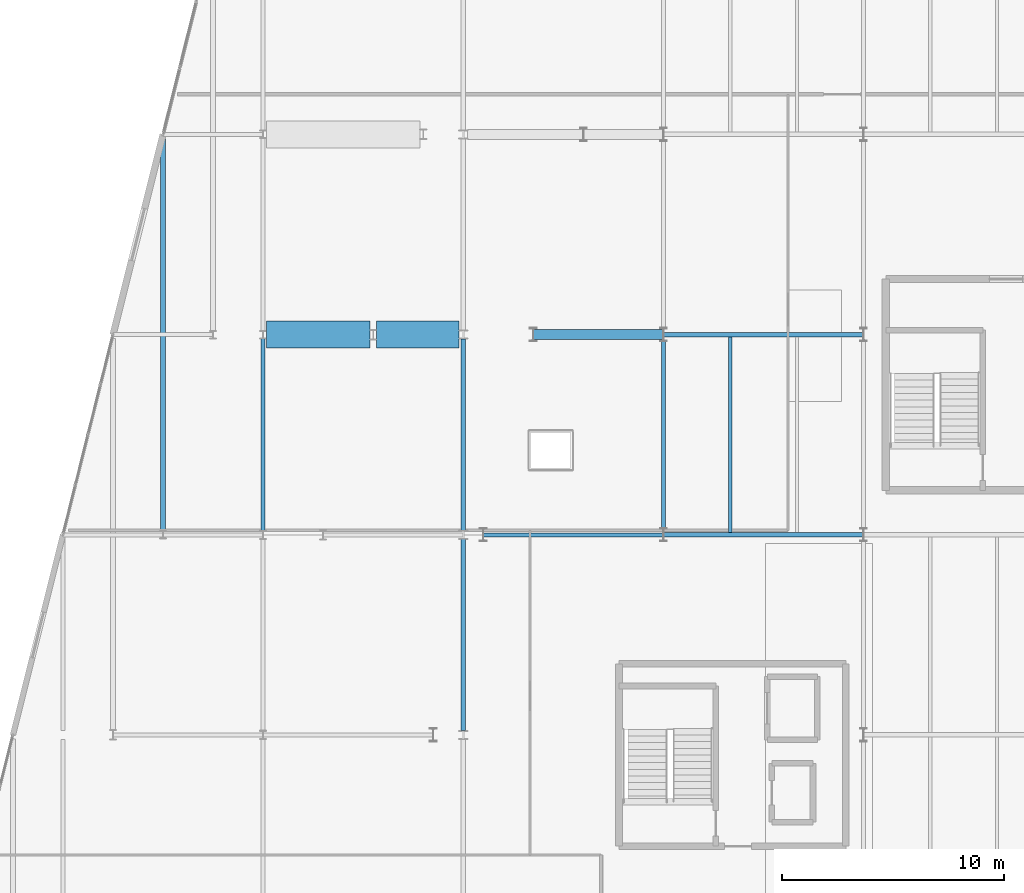
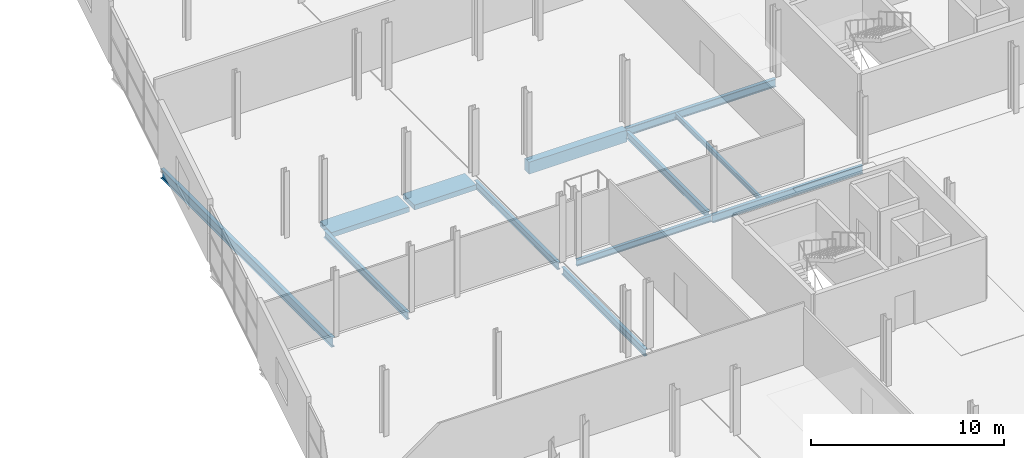
# One storey, part 89 of 132: 12 beams.
"""IFC4 building model written with IfcOpenShell, lengths in metres."""

from ifc_helpers import new_model, si_unit, direction, frame, origin, origin_2d, place, context, subcontext, project, spatial, rectangle, i_section, extrude, material, material_profile, profile_set, type_object, element, save


model = new_model("IFC4")

# Units and contexts
model_context = context("Model", 3, precision=1e-05, world=origin(), true_north=direction((0.0, 1.0)))
body_context = subcontext(model_context, "Body", "Model", "MODEL_VIEW")
ifc_project = project(units=[si_unit("LENGTHUNIT", "METRE"), si_unit("AREAUNIT", "SQUARE_METRE"), si_unit("VOLUMEUNIT", "CUBIC_METRE"), si_unit("PLANEANGLEUNIT", "RADIAN"), si_unit("MASSUNIT", "GRAM", prefix="KILO")], contexts=[model_context])

# Site, building, storey
site_placement = place(None, origin())
site = spatial("IfcSite", under=ifc_project, at=site_placement, CompositionType="ELEMENT")
building_placement = place(site_placement, origin())
building = spatial("IfcBuilding", under=site, at=building_placement, Name="Deido Ridge Mobility Hub", CompositionType="ELEMENT")
storey_placement = place(building_placement, frame((0.0, 0.0, 8.39990234375)))
storey = spatial("IfcBuildingStorey", under=building, at=storey_placement, Name="L02", CompositionType="ELEMENT", Elevation=8.39990234375)

# Beams
ifc_material_1 = material(Name="Steel S355J2 EN 10025-2", Category="steel")
ifc_material_profile_1 = material_profile(ifc_material_1, i_section(OverallWidth=0.179931640625, OverallDepth=0.39990234375, WebThickness=0.008544921875, FlangeThickness=0.013427734375, FilletRadius=0.02099609375, at=origin_2d()), Name="IPE 400")
ifc_profile_set_1 = profile_set([ifc_material_profile_1], Name="Steel S355J2 EN 10025-2")
beam_type_1 = type_object("IfcBeamType", Name="BM-IPE400", PredefinedType="BEAM", material=ifc_profile_set_1)
beam_1_placement = place(storey_placement, frame((144.90771484375, 36.0, -0.454833984375), z_axis=(1.0, 0.0, 0.0), x_axis=(0.0, 1.0, 0.0)))
element("IfcBeam", 1, at=beam_1_placement, inside=storey, type_object=beam_type_1, Name="Floor beam B5", PredefinedType="BEAM", context=body_context, shape_type="SweptSolid", body=[
    extrude(i_section(OverallWidth=0.179931640625, OverallDepth=0.39990234375, WebThickness=0.008544921875, FlangeThickness=0.013427734375, FilletRadius=0.02099609375, at=origin_2d()), origin(), (0.0, 0.0, 1.0), 8.08447265625),
])
ifc_material_profile_2 = material_profile(ifc_material_1, i_section(OverallWidth=0.18994140625, OverallDepth=0.449951171875, WebThickness=0.009521484375, FlangeThickness=0.0146484375, FilletRadius=0.02099609375, at=origin_2d()), Name="IPE 450")
ifc_profile_set_2 = profile_set([ifc_material_profile_2], Name="Steel S355J2 EN 10025-2")
beam_type_2 = type_object("IfcBeamType", Name="BM-IPE450", PredefinedType="BEAM", material=ifc_profile_set_2)
beam_2_placement = place(storey_placement, frame((135.0, 36.199951171875, -0.47998046875), z_axis=(0.0, 1.0, 0.0), x_axis=(-1.0, 0.0, 0.0)))
element("IfcBeam", 2, at=beam_2_placement, inside=storey, type_object=beam_type_2, Name="Floor beam B4", PredefinedType="BEAM", context=body_context, shape_type="SweptSolid", body=[
    extrude(i_section(OverallWidth=0.18994140625, OverallDepth=0.449951171875, WebThickness=0.009521484375, FlangeThickness=0.0146484375, FilletRadius=0.02099609375, at=origin_2d()), origin(), (0.0, 0.0, 1.0), 8.6201171875),
])
for number, where, z_axis, x_axis, name in (
    (3, (144.0, 27.196533203125, -0.47998046875), (0.0, 1.0, 0.0), (-1.0, 0.0, 0.0), "Floor beam B4"),
    (4, (144.0, 36.196533203125, -0.47998046875), (0.0, 1.0, 0.0), (-1.0, 0.0, 0.0), "Floor beam B4"),
):
    element("IfcBeam", number, at=place(storey_placement, frame(where, z_axis=z_axis, x_axis=x_axis)), inside=storey, type_object=beam_type_2, Name=name, PredefinedType="BEAM", context=body_context, shape_type="SweptSolid", body=[
        extrude(i_section(OverallWidth=0.18994140625, OverallDepth=0.449951171875, WebThickness=0.009521484375, FlangeThickness=0.0146484375, FilletRadius=0.02099609375, at=origin_2d()), origin(), (0.0, 0.0, 1.0), 8.60693359375),
    ])
beam_3_placement = place(storey_placement, frame((153.0, 36.300048828125, -0.47998046875), z_axis=(0.0, 1.0, 0.0), x_axis=(-1.0, 0.0, 0.0)))
element("IfcBeam", 5, at=beam_3_placement, inside=storey, type_object=beam_type_2, Name="Floor beam B4", PredefinedType="BEAM", context=body_context, shape_type="SweptSolid", body=[
    extrude(i_section(OverallWidth=0.18994140625, OverallDepth=0.449951171875, WebThickness=0.009521484375, FlangeThickness=0.0146484375, FilletRadius=0.02099609375, at=origin_2d()), origin(), (0.0, 0.0, 1.0), 8.39990234375),
])
ifc_material_profile_3 = material_profile(ifc_material_1, i_section(OverallWidth=0.199951171875, OverallDepth=0.5, WebThickness=0.01025390625, FlangeThickness=0.01611328125, FilletRadius=0.02099609375, at=origin_2d()), Name="IPE 500")
ifc_profile_set_3 = profile_set([ifc_material_profile_3], Name="Steel S355J2 EN 10025-2")
beam_type_3 = type_object("IfcBeamType", Name="BM-IPE500", PredefinedType="BEAM", material=ifc_profile_set_3)
for number, where, z_axis, x_axis, name in (
    (6, (153.0078125, 36.0, -0.5048828125), (1.0, 0.0, 0.0), (0.0, 1.0, 0.0), "Floor beam B3"),
    (7, (153.0078125, 45.0, -0.5048828125), (1.0, 0.0, 0.0), (0.0, 1.0, 0.0), "Floor beam B3"),
):
    element("IfcBeam", number, at=place(storey_placement, frame(where, z_axis=z_axis, x_axis=x_axis)), inside=storey, type_object=beam_type_3, Name=name, PredefinedType="BEAM", context=body_context, shape_type="SweptSolid", body=[
        extrude(i_section(OverallWidth=0.199951171875, OverallDepth=0.5, WebThickness=0.01025390625, FlangeThickness=0.01611328125, FilletRadius=0.02099609375, at=origin_2d()), origin(), (0.0, 0.0, 1.0), 8.984375),
    ])
ifc_material_profile_4 = material_profile(ifc_material_1, i_section(OverallWidth=0.219970703125, OverallDepth=0.60009765625, WebThickness=0.011962890625, FlangeThickness=0.01904296875, FilletRadius=0.02392578125, at=origin_2d()), Name="IPE 600")
ifc_profile_set_4 = profile_set([ifc_material_profile_4], Name="Steel S355J2 EN 10025-2")
beam_type_4 = type_object("IfcBeamType", Name="BM-IPE600", PredefinedType="BEAM", material=ifc_profile_set_4)
beam_4_placement = place(storey_placement, frame((130.5, 36.179931640625, -0.554931640625), z_axis=(0.0, 1.0, 0.0), x_axis=(-1.0, 0.0, 0.0)))
element("IfcBeam", 8, at=beam_4_placement, inside=storey, type_object=beam_type_4, Name="Floor beam B1", PredefinedType="BEAM", context=body_context, shape_type="SweptSolid", body=[
    extrude(i_section(OverallWidth=0.219970703125, OverallDepth=0.60009765625, WebThickness=0.011962890625, FlangeThickness=0.01904296875, FilletRadius=0.02392578125, at=origin_2d()), origin(), (0.0, 0.0, 1.0), 17.64013671875),
])
ifc_material_2 = material(Name="Concrete C40/50", Category="concrete")
ifc_material_profile_5 = material_profile(ifc_material_2, rectangle(XDim=0.449951171875, YDim=0.75, at=origin_2d()), Name="RC BEAM 450x750")
ifc_profile_set_5 = profile_set([ifc_material_profile_5], Name="Concrete C40/50")
beam_type_5 = type_object("IfcBeamType", Name="BM-RC450X750", PredefinedType="BEAM", material=ifc_profile_set_5)
beam_5_placement = place(storey_placement, frame((147.15771484375, 45.0, -0.6298828125), z_axis=(1.0, 0.0, 0.0), x_axis=(0.0, 1.0, 0.0)))
element("IfcBeam", 9, at=beam_5_placement, inside=storey, type_object=beam_type_5, Name="Concrete plant girder RCB1", PredefinedType="BEAM", context=body_context, shape_type="SweptSolid", body=[
    extrude(rectangle(XDim=0.449951171875, YDim=0.75, at=origin_2d()), origin(), (0.0, 0.0, 1.0), 5.83447265625),
])
ifc_material_3 = material(Name="Precast concrete C40/50", Category="concrete")
ifc_material_profile_6 = material_profile(ifc_material_3, rectangle(XDim=1.199951171875, YDim=0.320068359375, at=origin_2d()), Name="RC HC 1200x320")
ifc_profile_set_6 = profile_set([ifc_material_profile_6], Name="Precast concrete C40/50")
beam_type_6 = type_object("IfcBeamType", Name="HC-1200X320", PredefinedType="HOLLOWCORE", material=ifc_profile_set_6)
beam_6_placement = place(storey_placement, frame((135.14990234375, 45.0, -0.414794921875), z_axis=(1.0, 0.0, 0.0), x_axis=(0.0, 1.0, 0.0)))
element("IfcBeam", 10, at=beam_6_placement, inside=storey, type_object=beam_type_6, Name="Precast hollowcore beam HC1", PredefinedType="HOLLOWCORE", context=body_context, shape_type="SweptSolid", body=[
    extrude(rectangle(XDim=1.199951171875, YDim=0.320068359375, at=origin_2d()), origin(), (0.0, 0.0, 1.0), 4.650146484375),
])
beam_7_placement = place(storey_placement, frame((140.10009765625, 45.0, -0.414794921875), z_axis=(1.0, 0.0, 0.0), x_axis=(0.0, 1.0, 0.0)))
element("IfcBeam", 11, at=beam_7_placement, inside=storey, type_object=beam_type_6, Name="Precast hollowcore beam HC1", PredefinedType="HOLLOWCORE", context=body_context, shape_type="SweptSolid", body=[
    extrude(rectangle(XDim=1.199951171875, YDim=0.320068359375, at=origin_2d()), origin(), (0.0, 0.0, 1.0), 3.700439453125),
])
ifc_material_profile_7 = material_profile(ifc_material_1, i_section(OverallWidth=0.14990234375, OverallDepth=0.300048828125, WebThickness=0.007080078125, FlangeThickness=0.0107421875, FilletRadius=0.014892578125, at=origin_2d()), Name="IPE 300")
ifc_profile_set_7 = profile_set([ifc_material_profile_7], Name="Steel S355J2 EN 10025-2")
beam_type_7 = type_object("IfcBeamType", Name="JST-IPE300", PredefinedType="JOIST", material=ifc_profile_set_7)
beam_8_placement = place(storey_placement, frame((156.0, 36.10009765625, -0.40478515625), z_axis=(0.0, 1.0, 0.0), x_axis=(-1.0, 0.0, 0.0)))
element("IfcBeam", 12, at=beam_8_placement, inside=storey, type_object=beam_type_7, Name="Composite joist J3", PredefinedType="JOIST", context=body_context, shape_type="SweptSolid", body=[
    extrude(i_section(OverallWidth=0.14990234375, OverallDepth=0.300048828125, WebThickness=0.007080078125, FlangeThickness=0.0107421875, FilletRadius=0.014892578125, at=origin_2d()), origin(), (0.0, 0.0, 1.0), 8.7998046875),
])

save(model, "model.ifc")
